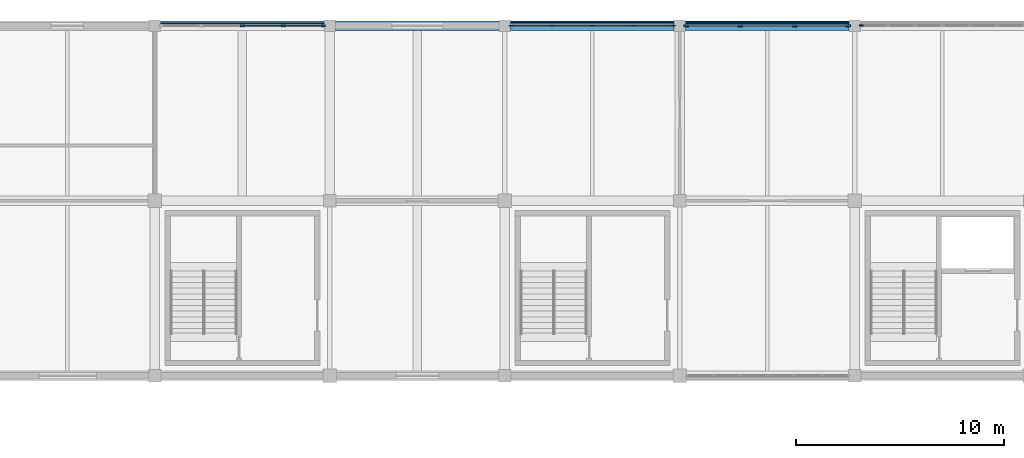
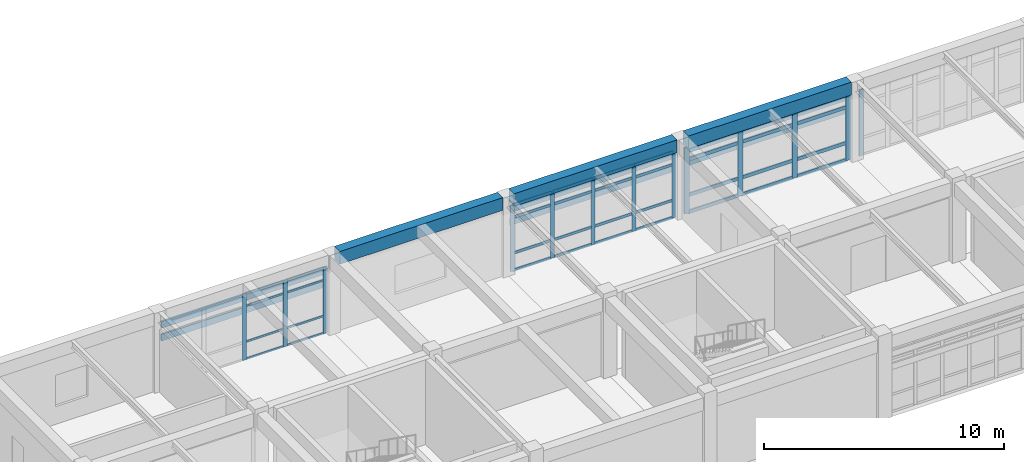
# One storey, part 9 of 18: 55 members, 3 beams, 4 elements without a shape of their own.
"""IFC4 building model written with IfcOpenShell, lengths in metres."""

from ifc_helpers import new_model, si_unit, direction, frame, origin, origin_2d, place, context, subcontext, project, spatial, rectangle, extrude, material, layer, layer_set, material_profile, profile_set, type_object, element, aggregate, save


model = new_model("IFC4")

# Units and contexts
model_context = context("Model", 3, precision=1e-05, world=origin(), true_north=direction((0.0, 1.0)))
body_context = subcontext(model_context, "Body", "Model", "MODEL_VIEW")
ifc_project = project(units=[si_unit("LENGTHUNIT", "METRE"), si_unit("AREAUNIT", "SQUARE_METRE"), si_unit("VOLUMEUNIT", "CUBIC_METRE"), si_unit("PLANEANGLEUNIT", "RADIAN"), si_unit("MASSUNIT", "GRAM", prefix="KILO")], contexts=[model_context])

# Site, building, storey
site_placement = place(None, origin())
site = spatial("IfcSite", under=ifc_project, at=site_placement, CompositionType="ELEMENT")
building_placement = place(site_placement, origin())
building = spatial("IfcBuilding", under=site, at=building_placement, Name="Porcellanite Civic Hall", CompositionType="ELEMENT")
storey_placement = place(building_placement, frame((0.0, 0.0, 23.39990234375)))
storey = spatial("IfcBuildingStorey", under=building, at=storey_placement, Name="L05", CompositionType="ELEMENT", Elevation=23.39990234375)

# Beams
ifc_material_1 = material(Name="Concrete N50 (50 MPa)", Category="concrete")
ifc_material_profile_1 = material_profile(ifc_material_1, rectangle(XDim=0.449951171875, YDim=0.64990234375, at=origin_2d()), Name="RC-450x650")
ifc_profile_set_1 = profile_set([ifc_material_profile_1], Name="Concrete N50 (50 MPa)")
beam_type = type_object("IfcBeamType", Name="BM-RC650", PredefinedType="SPANDREL", material=ifc_profile_set_1)
beam_1_placement = place(storey_placement, frame((84.2744140625, 117.60009765625, 3.7451171875), z_axis=(1.0, 0.0, 0.0), x_axis=(0.0, 1.0, 0.0)))
element("IfcBeam", 1, at=beam_1_placement, inside=storey, type_object=beam_type, Name="Beam X L05 11-15", PredefinedType="SPANDREL", context=body_context, shape_type="SweptSolid", body=[
    extrude(rectangle(XDim=0.449951171875, YDim=0.64990234375, at=origin_2d()), origin(), (0.0, 0.0, 1.0), 7.85107421875),
])
beam_2_placement = place(storey_placement, frame((92.674560546875, 117.60009765625, 3.7451171875), z_axis=(1.0, 0.0, 0.0), x_axis=(0.0, 1.0, 0.0)))
element("IfcBeam", 2, at=beam_2_placement, inside=storey, type_object=beam_type, Name="Beam X L05 12-15", PredefinedType="SPANDREL", context=body_context, shape_type="SweptSolid", body=[
    extrude(rectangle(XDim=0.449951171875, YDim=0.64990234375, at=origin_2d()), origin(), (0.0, 0.0, 1.0), 7.850830078125),
])
beam_3_placement = place(storey_placement, frame((101.074462890625, 117.60009765625, 3.7451171875), z_axis=(1.0, 0.0, 0.0), x_axis=(0.0, 1.0, 0.0)))
element("IfcBeam", 3, at=beam_3_placement, inside=storey, type_object=beam_type, Name="Beam X L05 13-15", PredefinedType="SPANDREL", context=body_context, shape_type="SweptSolid", body=[
    extrude(rectangle(XDim=0.449951171875, YDim=0.64990234375, at=origin_2d()), origin(), (0.0, 0.0, 1.0), 7.85107421875),
])

# Curtain wall, members
ifc_material_2 = material(Name="Anodised aluminium and solar laminated glass", Category="aluminium")
ifc_layer_1 = layer(ifc_material_2, 0.179931640625)
ifc_layer_set_1 = layer_set([ifc_layer_1], Name="Anodised aluminium and solar laminated glass")
curtain_wall_type_1 = type_object("IfcCurtainWallType", Name="CW-SYS08", PredefinedType="NOTDEFINED", material=ifc_layer_set_1)
curtain_wall_1_placement = place(storey_placement, origin())
curtain_wall_1 = element("IfcCurtainWall", 4, at=curtain_wall_1_placement, inside=storey, type_object=curtain_wall_type_1, Name="Curtain wall CW-268", PredefinedType="NOTDEFINED")
ifc_material_3 = material(Name="Anodised aluminium 6063-T6", Category="aluminium")
ifc_material_profile_2 = material_profile(ifc_material_3, rectangle(XDim=0.080078125, YDim=0.239990234375, at=origin_2d()), Name="AL-80x240")
ifc_profile_set_2 = profile_set([ifc_material_profile_2], Name="Anodised aluminium 6063-T6")
member_type_1 = type_object("IfcMemberType", Name="CWM-01", PredefinedType="MULLION", material=ifc_profile_set_2)
member_1_placement = place(storey_placement, frame((101.115966796875, 117.60009765625, 0.0), z_axis=(0.0, 0.0, 1.0), x_axis=(0.0, 1.0, 0.0)))
member_1 = element("IfcMember", 5, at=member_1_placement, type_object=member_type_1, Name="CW-268 mullion 1", PredefinedType="MULLION", context=body_context, shape_type="SweptSolid", body=[
    extrude(rectangle(XDim=0.080078125, YDim=0.239990234375, at=origin_2d()), origin(), (0.0, 0.0, 1.0), 3.3701171875),
])
member_2_placement = place(storey_placement, frame((103.69189453125, 117.60009765625, 0.0), z_axis=(0.0, 0.0, 1.0), x_axis=(0.0, 1.0, 0.0)))
member_2 = element("IfcMember", 6, at=member_2_placement, type_object=member_type_1, Name="CW-268 mullion 2", PredefinedType="MULLION", context=body_context, shape_type="SweptSolid", body=[
    extrude(rectangle(XDim=0.080078125, YDim=0.239990234375, at=origin_2d()), origin(), (0.0, 0.0, 1.0), 3.3701171875),
])
member_3_placement = place(storey_placement, frame((106.30810546875, 117.60009765625, 0.0), z_axis=(0.0, 0.0, 1.0), x_axis=(0.0, 1.0, 0.0)))
member_3 = element("IfcMember", 7, at=member_3_placement, type_object=member_type_1, Name="CW-268 mullion 3", PredefinedType="MULLION", context=body_context, shape_type="SweptSolid", body=[
    extrude(rectangle(XDim=0.080078125, YDim=0.239990234375, at=origin_2d()), origin(), (0.0, 0.0, 1.0), 3.3701171875),
])
member_4_placement = place(storey_placement, frame((108.884033203125, 117.60009765625, 0.0), z_axis=(0.0, 0.0, 1.0), x_axis=(0.0, 1.0, 0.0)))
member_4 = element("IfcMember", 8, at=member_4_placement, type_object=member_type_1, Name="CW-268 mullion 4", PredefinedType="MULLION", context=body_context, shape_type="SweptSolid", body=[
    extrude(rectangle(XDim=0.080078125, YDim=0.239990234375, at=origin_2d()), origin(), (0.0, 0.0, 1.0), 3.3701171875),
])

ifc_material_4 = material(Name="Anodised aluminium and solar laminated glass", Category="aluminium")
ifc_layer_2 = layer(ifc_material_4, 0.179931640625)
ifc_layer_set_2 = layer_set([ifc_layer_2], Name="Anodised aluminium and solar laminated glass")
curtain_wall_type_2 = type_object("IfcCurtainWallType", Name="CW-SYS04", PredefinedType="NOTDEFINED", material=ifc_layer_set_2)
curtain_wall_2_placement = place(storey_placement, origin())
curtain_wall_2 = element("IfcCurtainWall", 9, at=curtain_wall_2_placement, inside=storey, type_object=curtain_wall_type_2, Name="Curtain wall CW-265", PredefinedType="NOTDEFINED")
ifc_material_5 = material(Name="Anodised aluminium 6063-T6", Category="aluminium")
ifc_material_profile_3 = material_profile(ifc_material_5, rectangle(XDim=0.074951171875, YDim=0.18994140625, at=origin_2d()), Name="AL-75x190")
ifc_profile_set_3 = profile_set([ifc_material_profile_3], Name="Anodised aluminium 6063-T6")
member_type_2 = type_object("IfcMemberType", Name="CWM-04", PredefinedType="MULLION", material=ifc_profile_set_3)
member_5_placement = place(storey_placement, frame((79.800048828125, 117.60009765625, 0.0), z_axis=(0.0, 0.0, 1.0), x_axis=(0.0, 1.0, 0.0)))
member_5 = element("IfcMember", 10, at=member_5_placement, type_object=member_type_2, Name="CW-265 mullion 3", PredefinedType="MULLION", context=body_context, shape_type="SweptSolid", body=[
    extrude(rectangle(XDim=0.074951171875, YDim=0.18994140625, at=origin_2d()), origin(), (0.0, 0.0, 1.0), 3.3701171875),
])
member_6_placement = place(storey_placement, frame((81.761962890625, 117.60009765625, 0.0), z_axis=(0.0, 0.0, 1.0), x_axis=(0.0, 1.0, 0.0)))
member_6 = element("IfcMember", 11, at=member_6_placement, type_object=member_type_2, Name="CW-265 mullion 4", PredefinedType="MULLION", context=body_context, shape_type="SweptSolid", body=[
    extrude(rectangle(XDim=0.074951171875, YDim=0.18994140625, at=origin_2d()), origin(), (0.0, 0.0, 1.0), 3.3701171875),
])
member_7_placement = place(storey_placement, frame((83.6865234375, 117.60009765625, 0.0), z_axis=(0.0, 0.0, 1.0), x_axis=(0.0, 1.0, 0.0)))
member_7 = element("IfcMember", 12, at=member_7_placement, type_object=member_type_2, Name="CW-265 mullion 5", PredefinedType="MULLION", context=body_context, shape_type="SweptSolid", body=[
    extrude(rectangle(XDim=0.074951171875, YDim=0.18994140625, at=origin_2d()), origin(), (0.0, 0.0, 1.0), 3.3701171875),
])

# Curtain wall, member
ifc_material_6 = material(Name="Anodised aluminium and solar laminated glass", Category="aluminium")
ifc_layer_3 = layer(ifc_material_6, 0.179931640625)
ifc_layer_set_3 = layer_set([ifc_layer_3], Name="Anodised aluminium and solar laminated glass")
curtain_wall_type_3 = type_object("IfcCurtainWallType", Name="CW-SYS01", PredefinedType="NOTDEFINED", material=ifc_layer_set_3)
curtain_wall_3_placement = place(storey_placement, origin())
curtain_wall_3 = element("IfcCurtainWall", 13, at=curtain_wall_3_placement, inside=storey, type_object=curtain_wall_type_3, Name="Curtain wall CW-269", PredefinedType="NOTDEFINED")
ifc_material_7 = material(Name="Anodised aluminium 6063-T6", Category="aluminium")
ifc_material_profile_4 = material_profile(ifc_material_7, rectangle(XDim=0.070068359375, YDim=0.199951171875, at=origin_2d()), Name="AL-70x200")
ifc_profile_set_4 = profile_set([ifc_material_profile_4], Name="Anodised aluminium 6063-T6")
member_type_3 = type_object("IfcMemberType", Name="CWM-05", PredefinedType="MULLION", material=ifc_profile_set_4)
member_8_placement = place(storey_placement, frame((109.510986328125, 117.60009765625, 0.0), z_axis=(0.0, 0.0, 1.0), x_axis=(0.0, 1.0, 0.0)))
member_8 = element("IfcMember", 14, at=member_8_placement, type_object=member_type_3, Name="CW-269 mullion 1", PredefinedType="MULLION", context=body_context, shape_type="SweptSolid", body=[
    extrude(rectangle(XDim=0.070068359375, YDim=0.199951171875, at=origin_2d()), origin(), (0.0, 0.0, 1.0), 3.3701171875),
])
aggregate(curtain_wall_3, [member_8])

# Curtain wall, members
ifc_material_8 = material(Name="Anodised aluminium and solar laminated glass", Category="aluminium")
ifc_layer_4 = layer(ifc_material_8, 0.179931640625)
ifc_layer_set_4 = layer_set([ifc_layer_4], Name="Anodised aluminium and solar laminated glass")
curtain_wall_type_4 = type_object("IfcCurtainWallType", Name="CW-SYS06", PredefinedType="NOTDEFINED", material=ifc_layer_set_4)
curtain_wall_4_placement = place(storey_placement, origin())
curtain_wall_4 = element("IfcCurtainWall", 15, at=curtain_wall_4_placement, inside=storey, type_object=curtain_wall_type_4, Name="Curtain wall CW-266", PredefinedType="NOTDEFINED")
ifc_material_9 = material(Name="Anodised aluminium 6063-T6", Category="aluminium")
ifc_material_profile_5 = material_profile(ifc_material_9, rectangle(XDim=0.06494140625, YDim=0.179931640625, at=origin_2d()), Name="AL-65x180")
ifc_profile_set_5 = profile_set([ifc_material_profile_5], Name="Anodised aluminium 6063-T6")
member_type_4 = type_object("IfcMemberType", Name="CWM-06", PredefinedType="MULLION", material=ifc_profile_set_5)
member_9_placement = place(storey_placement, frame((92.70849609375, 117.60009765625, 0.0), z_axis=(0.0, 0.0, 1.0), x_axis=(0.0, 1.0, 0.0)))
member_9 = element("IfcMember", 16, at=member_9_placement, type_object=member_type_4, Name="CW-266 mullion 1", PredefinedType="MULLION", context=body_context, shape_type="SweptSolid", body=[
    extrude(rectangle(XDim=0.06494140625, YDim=0.179931640625, at=origin_2d()), origin(), (0.0, 0.0, 1.0), 3.3701171875),
])
member_10_placement = place(storey_placement, frame((94.637939453125, 117.60009765625, 0.0), z_axis=(0.0, 0.0, 1.0), x_axis=(0.0, 1.0, 0.0)))
member_10 = element("IfcMember", 17, at=member_10_placement, type_object=member_type_4, Name="CW-266 mullion 2", PredefinedType="MULLION", context=body_context, shape_type="SweptSolid", body=[
    extrude(rectangle(XDim=0.06494140625, YDim=0.179931640625, at=origin_2d()), origin(), (0.0, 0.0, 1.0), 3.3701171875),
])
member_11_placement = place(storey_placement, frame((96.60009765625, 117.60009765625, 0.0), z_axis=(0.0, 0.0, 1.0), x_axis=(0.0, 1.0, 0.0)))
member_11 = element("IfcMember", 18, at=member_11_placement, type_object=member_type_4, Name="CW-266 mullion 3", PredefinedType="MULLION", context=body_context, shape_type="SweptSolid", body=[
    extrude(rectangle(XDim=0.06494140625, YDim=0.179931640625, at=origin_2d()), origin(), (0.0, 0.0, 1.0), 3.3701171875),
])
member_12_placement = place(storey_placement, frame((98.56201171875, 117.60009765625, 0.0), z_axis=(0.0, 0.0, 1.0), x_axis=(0.0, 1.0, 0.0)))
member_12 = element("IfcMember", 19, at=member_12_placement, type_object=member_type_4, Name="CW-266 mullion 4", PredefinedType="MULLION", context=body_context, shape_type="SweptSolid", body=[
    extrude(rectangle(XDim=0.06494140625, YDim=0.179931640625, at=origin_2d()), origin(), (0.0, 0.0, 1.0), 3.3701171875),
])
member_13_placement = place(storey_placement, frame((100.491455078125, 117.60009765625, 0.0), z_axis=(0.0, 0.0, 1.0), x_axis=(0.0, 1.0, 0.0)))
member_13 = element("IfcMember", 20, at=member_13_placement, type_object=member_type_4, Name="CW-266 mullion 5", PredefinedType="MULLION", context=body_context, shape_type="SweptSolid", body=[
    extrude(rectangle(XDim=0.06494140625, YDim=0.179931640625, at=origin_2d()), origin(), (0.0, 0.0, 1.0), 3.3701171875),
])

# Member
ifc_material_10 = material(Name="Anodised aluminium 6063-T6", Category="aluminium")
ifc_material_profile_6 = material_profile(ifc_material_10, rectangle(XDim=0.070068359375, YDim=0.175048828125, at=origin_2d()), Name="AL-70x175")
ifc_profile_set_6 = profile_set([ifc_material_profile_6], Name="Anodised aluminium 6063-T6")
member_type_5 = type_object("IfcMemberType", Name="CWT-01", PredefinedType="USERDEFINED", material=ifc_profile_set_6)
member_14_placement = place(storey_placement, frame((101.156005859375, 117.60009765625, 0.03515625), z_axis=(1.0, 0.0, 0.0), x_axis=(0.0, 1.0, 0.0)))
member_14 = element("IfcMember", 21, at=member_14_placement, type_object=member_type_5, Name="CW-268 transom 1.1", ObjectType="TRANSOM", PredefinedType="USERDEFINED", context=body_context, shape_type="SweptSolid", body=[
    extrude(rectangle(XDim=0.070068359375, YDim=0.175048828125, at=origin_2d()), origin(), (0.0, 0.0, 1.0), 2.49609375),
])

member_15_placement = place(storey_placement, frame((101.156005859375, 117.60009765625, 0.900146484375), z_axis=(1.0, 0.0, 0.0), x_axis=(0.0, 1.0, 0.0)))
member_15 = element("IfcMember", 22, at=member_15_placement, type_object=member_type_5, Name="CW-268 transom 1.2", ObjectType="TRANSOM", PredefinedType="USERDEFINED", context=body_context, shape_type="SweptSolid", body=[
    extrude(rectangle(XDim=0.070068359375, YDim=0.175048828125, at=origin_2d()), origin(), (0.0, 0.0, 1.0), 2.49609375),
])

member_16_placement = place(storey_placement, frame((101.156005859375, 117.60009765625, 2.72021484375), z_axis=(1.0, 0.0, 0.0), x_axis=(0.0, 1.0, 0.0)))
member_16 = element("IfcMember", 23, at=member_16_placement, type_object=member_type_5, Name="CW-268 transom 1.3", ObjectType="TRANSOM", PredefinedType="USERDEFINED", context=body_context, shape_type="SweptSolid", body=[
    extrude(rectangle(XDim=0.070068359375, YDim=0.175048828125, at=origin_2d()), origin(), (0.0, 0.0, 1.0), 2.49609375),
])

member_17_placement = place(storey_placement, frame((101.156005859375, 117.60009765625, 3.335205078125), z_axis=(1.0, 0.0, 0.0), x_axis=(0.0, 1.0, 0.0)))
member_17 = element("IfcMember", 24, at=member_17_placement, type_object=member_type_5, Name="CW-268 transom 1.4", ObjectType="TRANSOM", PredefinedType="USERDEFINED", context=body_context, shape_type="SweptSolid", body=[
    extrude(rectangle(XDim=0.070068359375, YDim=0.175048828125, at=origin_2d()), origin(), (0.0, 0.0, 1.0), 2.49609375),
])

member_18_placement = place(storey_placement, frame((103.73193359375, 117.60009765625, 0.03515625), z_axis=(1.0, 0.0, 0.0), x_axis=(0.0, 1.0, 0.0)))
member_18 = element("IfcMember", 25, at=member_18_placement, type_object=member_type_5, Name="CW-268 transom 2.1", ObjectType="TRANSOM", PredefinedType="USERDEFINED", context=body_context, shape_type="SweptSolid", body=[
    extrude(rectangle(XDim=0.070068359375, YDim=0.175048828125, at=origin_2d()), origin(), (0.0, 0.0, 1.0), 2.5361328125),
])

member_19_placement = place(storey_placement, frame((103.73193359375, 117.60009765625, 0.900146484375), z_axis=(1.0, 0.0, 0.0), x_axis=(0.0, 1.0, 0.0)))
member_19 = element("IfcMember", 26, at=member_19_placement, type_object=member_type_5, Name="CW-268 transom 2.2", ObjectType="TRANSOM", PredefinedType="USERDEFINED", context=body_context, shape_type="SweptSolid", body=[
    extrude(rectangle(XDim=0.070068359375, YDim=0.175048828125, at=origin_2d()), origin(), (0.0, 0.0, 1.0), 2.5361328125),
])

member_20_placement = place(storey_placement, frame((103.73193359375, 117.60009765625, 2.72021484375), z_axis=(1.0, 0.0, 0.0), x_axis=(0.0, 1.0, 0.0)))
member_20 = element("IfcMember", 27, at=member_20_placement, type_object=member_type_5, Name="CW-268 transom 2.3", ObjectType="TRANSOM", PredefinedType="USERDEFINED", context=body_context, shape_type="SweptSolid", body=[
    extrude(rectangle(XDim=0.070068359375, YDim=0.175048828125, at=origin_2d()), origin(), (0.0, 0.0, 1.0), 2.5361328125),
])

member_21_placement = place(storey_placement, frame((103.73193359375, 117.60009765625, 3.335205078125), z_axis=(1.0, 0.0, 0.0), x_axis=(0.0, 1.0, 0.0)))
member_21 = element("IfcMember", 28, at=member_21_placement, type_object=member_type_5, Name="CW-268 transom 2.4", ObjectType="TRANSOM", PredefinedType="USERDEFINED", context=body_context, shape_type="SweptSolid", body=[
    extrude(rectangle(XDim=0.070068359375, YDim=0.175048828125, at=origin_2d()), origin(), (0.0, 0.0, 1.0), 2.5361328125),
])

member_22_placement = place(storey_placement, frame((106.347900390625, 117.60009765625, 0.03515625), z_axis=(1.0, 0.0, 0.0), x_axis=(0.0, 1.0, 0.0)))
member_22 = element("IfcMember", 29, at=member_22_placement, type_object=member_type_5, Name="CW-268 transom 3.1", ObjectType="TRANSOM", PredefinedType="USERDEFINED", context=body_context, shape_type="SweptSolid", body=[
    extrude(rectangle(XDim=0.070068359375, YDim=0.175048828125, at=origin_2d()), origin(), (0.0, 0.0, 1.0), 2.49609375),
])

member_23_placement = place(storey_placement, frame((106.347900390625, 117.60009765625, 0.900146484375), z_axis=(1.0, 0.0, 0.0), x_axis=(0.0, 1.0, 0.0)))
member_23 = element("IfcMember", 30, at=member_23_placement, type_object=member_type_5, Name="CW-268 transom 3.2", ObjectType="TRANSOM", PredefinedType="USERDEFINED", context=body_context, shape_type="SweptSolid", body=[
    extrude(rectangle(XDim=0.070068359375, YDim=0.175048828125, at=origin_2d()), origin(), (0.0, 0.0, 1.0), 2.49609375),
])

member_24_placement = place(storey_placement, frame((106.347900390625, 117.60009765625, 2.72021484375), z_axis=(1.0, 0.0, 0.0), x_axis=(0.0, 1.0, 0.0)))
member_24 = element("IfcMember", 31, at=member_24_placement, type_object=member_type_5, Name="CW-268 transom 3.3", ObjectType="TRANSOM", PredefinedType="USERDEFINED", context=body_context, shape_type="SweptSolid", body=[
    extrude(rectangle(XDim=0.070068359375, YDim=0.175048828125, at=origin_2d()), origin(), (0.0, 0.0, 1.0), 2.49609375),
])

member_25_placement = place(storey_placement, frame((106.347900390625, 117.60009765625, 3.335205078125), z_axis=(1.0, 0.0, 0.0), x_axis=(0.0, 1.0, 0.0)))
member_25 = element("IfcMember", 32, at=member_25_placement, type_object=member_type_5, Name="CW-268 transom 3.4", ObjectType="TRANSOM", PredefinedType="USERDEFINED", context=body_context, shape_type="SweptSolid", body=[
    extrude(rectangle(XDim=0.070068359375, YDim=0.175048828125, at=origin_2d()), origin(), (0.0, 0.0, 1.0), 2.49609375),
])

aggregate(curtain_wall_1, [member_1, member_2, member_3, member_4, member_14, member_15, member_16, member_17, member_18, member_19, member_20, member_21, member_22, member_23, member_24, member_25])

ifc_material_11 = material(Name="Anodised aluminium 6063-T6", Category="aluminium")
ifc_material_profile_7 = material_profile(ifc_material_11, rectangle(XDim=0.054931640625, YDim=0.10009765625, at=origin_2d()), Name="AL-55x100")
ifc_profile_set_7 = profile_set([ifc_material_profile_7], Name="Anodised aluminium 6063-T6")
member_type_6 = type_object("IfcMemberType", Name="CWT-05", PredefinedType="USERDEFINED", material=ifc_profile_set_7)
member_26_placement = place(storey_placement, frame((79.83740234375, 117.60009765625, 0.027587890625), z_axis=(1.0, 0.0, 0.0), x_axis=(0.0, 1.0, 0.0)))
member_26 = element("IfcMember", 33, at=member_26_placement, type_object=member_type_6, Name="CW-265 transom 3.1", ObjectType="TRANSOM", PredefinedType="USERDEFINED", context=body_context, shape_type="SweptSolid", body=[
    extrude(rectangle(XDim=0.054931640625, YDim=0.10009765625, at=origin_2d()), origin(), (0.0, 0.0, 1.0), 1.88720703125),
])

member_27_placement = place(storey_placement, frame((79.83740234375, 117.60009765625, 0.900146484375), z_axis=(1.0, 0.0, 0.0), x_axis=(0.0, 1.0, 0.0)))
member_27 = element("IfcMember", 34, at=member_27_placement, type_object=member_type_6, Name="CW-265 transom 3.2", ObjectType="TRANSOM", PredefinedType="USERDEFINED", context=body_context, shape_type="SweptSolid", body=[
    extrude(rectangle(XDim=0.054931640625, YDim=0.10009765625, at=origin_2d()), origin(), (0.0, 0.0, 1.0), 1.88720703125),
])

member_28_placement = place(storey_placement, frame((79.83740234375, 117.60009765625, 2.72021484375), z_axis=(1.0, 0.0, 0.0), x_axis=(0.0, 1.0, 0.0)))
member_28 = element("IfcMember", 35, at=member_28_placement, type_object=member_type_6, Name="CW-265 transom 3.3", ObjectType="TRANSOM", PredefinedType="USERDEFINED", context=body_context, shape_type="SweptSolid", body=[
    extrude(rectangle(XDim=0.054931640625, YDim=0.10009765625, at=origin_2d()), origin(), (0.0, 0.0, 1.0), 1.88720703125),
])

member_29_placement = place(storey_placement, frame((79.83740234375, 117.60009765625, 3.342529296875), z_axis=(1.0, 0.0, 0.0), x_axis=(0.0, 1.0, 0.0)))
member_29 = element("IfcMember", 36, at=member_29_placement, type_object=member_type_6, Name="CW-265 transom 3.4", ObjectType="TRANSOM", PredefinedType="USERDEFINED", context=body_context, shape_type="SweptSolid", body=[
    extrude(rectangle(XDim=0.054931640625, YDim=0.10009765625, at=origin_2d()), origin(), (0.0, 0.0, 1.0), 1.88720703125),
])

member_30_placement = place(storey_placement, frame((81.799560546875, 117.60009765625, 0.027587890625), z_axis=(1.0, 0.0, 0.0), x_axis=(0.0, 1.0, 0.0)))
member_30 = element("IfcMember", 37, at=member_30_placement, type_object=member_type_6, Name="CW-265 transom 4.1", ObjectType="TRANSOM", PredefinedType="USERDEFINED", context=body_context, shape_type="SweptSolid", body=[
    extrude(rectangle(XDim=0.054931640625, YDim=0.10009765625, at=origin_2d()), origin(), (0.0, 0.0, 1.0), 1.849365234375),
])

member_31_placement = place(storey_placement, frame((81.799560546875, 117.60009765625, 0.900146484375), z_axis=(1.0, 0.0, 0.0), x_axis=(0.0, 1.0, 0.0)))
member_31 = element("IfcMember", 38, at=member_31_placement, type_object=member_type_6, Name="CW-265 transom 4.2", ObjectType="TRANSOM", PredefinedType="USERDEFINED", context=body_context, shape_type="SweptSolid", body=[
    extrude(rectangle(XDim=0.054931640625, YDim=0.10009765625, at=origin_2d()), origin(), (0.0, 0.0, 1.0), 1.849365234375),
])

member_32_placement = place(storey_placement, frame((81.799560546875, 117.60009765625, 2.72021484375), z_axis=(1.0, 0.0, 0.0), x_axis=(0.0, 1.0, 0.0)))
member_32 = element("IfcMember", 39, at=member_32_placement, type_object=member_type_6, Name="CW-265 transom 4.3", ObjectType="TRANSOM", PredefinedType="USERDEFINED", context=body_context, shape_type="SweptSolid", body=[
    extrude(rectangle(XDim=0.054931640625, YDim=0.10009765625, at=origin_2d()), origin(), (0.0, 0.0, 1.0), 1.849365234375),
])

member_33_placement = place(storey_placement, frame((81.799560546875, 117.60009765625, 3.342529296875), z_axis=(1.0, 0.0, 0.0), x_axis=(0.0, 1.0, 0.0)))
member_33 = element("IfcMember", 40, at=member_33_placement, type_object=member_type_6, Name="CW-265 transom 4.4", ObjectType="TRANSOM", PredefinedType="USERDEFINED", context=body_context, shape_type="SweptSolid", body=[
    extrude(rectangle(XDim=0.054931640625, YDim=0.10009765625, at=origin_2d()), origin(), (0.0, 0.0, 1.0), 1.849365234375),
])

aggregate(curtain_wall_2, [member_5, member_6, member_7, member_26, member_27, member_28, member_29, member_30, member_31, member_32, member_33])

ifc_material_12 = material(Name="Anodised aluminium 6063-T6", Category="aluminium")
ifc_material_profile_8 = material_profile(ifc_material_12, rectangle(XDim=0.050048828125, YDim=0.139892578125, at=origin_2d()), Name="AL-50x140")
ifc_profile_set_8 = profile_set([ifc_material_profile_8], Name="Anodised aluminium 6063-T6")
member_type_7 = type_object("IfcMemberType", Name="CWT-06", PredefinedType="USERDEFINED", material=ifc_profile_set_8)
member_34_placement = place(storey_placement, frame((92.740966796875, 117.60009765625, 0.025146484375), z_axis=(1.0, 0.0, 0.0), x_axis=(0.0, 1.0, 0.0)))
member_34 = element("IfcMember", 41, at=member_34_placement, type_object=member_type_7, Name="CW-266 transom 1.1", ObjectType="TRANSOM", PredefinedType="USERDEFINED", context=body_context, shape_type="SweptSolid", body=[
    extrude(rectangle(XDim=0.050048828125, YDim=0.139892578125, at=origin_2d()), origin(), (0.0, 0.0, 1.0), 1.864501953125),
])

member_35_placement = place(storey_placement, frame((92.740966796875, 117.60009765625, 0.900146484375), z_axis=(1.0, 0.0, 0.0), x_axis=(0.0, 1.0, 0.0)))
member_35 = element("IfcMember", 42, at=member_35_placement, type_object=member_type_7, Name="CW-266 transom 1.2", ObjectType="TRANSOM", PredefinedType="USERDEFINED", context=body_context, shape_type="SweptSolid", body=[
    extrude(rectangle(XDim=0.050048828125, YDim=0.139892578125, at=origin_2d()), origin(), (0.0, 0.0, 1.0), 1.864501953125),
])

member_36_placement = place(storey_placement, frame((92.740966796875, 117.60009765625, 2.72021484375), z_axis=(1.0, 0.0, 0.0), x_axis=(0.0, 1.0, 0.0)))
member_36 = element("IfcMember", 43, at=member_36_placement, type_object=member_type_7, Name="CW-266 transom 1.3", ObjectType="TRANSOM", PredefinedType="USERDEFINED", context=body_context, shape_type="SweptSolid", body=[
    extrude(rectangle(XDim=0.050048828125, YDim=0.139892578125, at=origin_2d()), origin(), (0.0, 0.0, 1.0), 1.864501953125),
])

member_37_placement = place(storey_placement, frame((92.740966796875, 117.60009765625, 3.34521484375), z_axis=(1.0, 0.0, 0.0), x_axis=(0.0, 1.0, 0.0)))
member_37 = element("IfcMember", 44, at=member_37_placement, type_object=member_type_7, Name="CW-266 transom 1.4", ObjectType="TRANSOM", PredefinedType="USERDEFINED", context=body_context, shape_type="SweptSolid", body=[
    extrude(rectangle(XDim=0.050048828125, YDim=0.139892578125, at=origin_2d()), origin(), (0.0, 0.0, 1.0), 1.864501953125),
])

member_38_placement = place(storey_placement, frame((94.67041015625, 117.60009765625, 0.025146484375), z_axis=(1.0, 0.0, 0.0), x_axis=(0.0, 1.0, 0.0)))
member_38 = element("IfcMember", 45, at=member_38_placement, type_object=member_type_7, Name="CW-266 transom 2.1", ObjectType="TRANSOM", PredefinedType="USERDEFINED", context=body_context, shape_type="SweptSolid", body=[
    extrude(rectangle(XDim=0.050048828125, YDim=0.139892578125, at=origin_2d()), origin(), (0.0, 0.0, 1.0), 1.89697265625),
])

member_39_placement = place(storey_placement, frame((94.67041015625, 117.60009765625, 0.900146484375), z_axis=(1.0, 0.0, 0.0), x_axis=(0.0, 1.0, 0.0)))
member_39 = element("IfcMember", 46, at=member_39_placement, type_object=member_type_7, Name="CW-266 transom 2.2", ObjectType="TRANSOM", PredefinedType="USERDEFINED", context=body_context, shape_type="SweptSolid", body=[
    extrude(rectangle(XDim=0.050048828125, YDim=0.139892578125, at=origin_2d()), origin(), (0.0, 0.0, 1.0), 1.89697265625),
])

member_40_placement = place(storey_placement, frame((94.67041015625, 117.60009765625, 2.72021484375), z_axis=(1.0, 0.0, 0.0), x_axis=(0.0, 1.0, 0.0)))
member_40 = element("IfcMember", 47, at=member_40_placement, type_object=member_type_7, Name="CW-266 transom 2.3", ObjectType="TRANSOM", PredefinedType="USERDEFINED", context=body_context, shape_type="SweptSolid", body=[
    extrude(rectangle(XDim=0.050048828125, YDim=0.139892578125, at=origin_2d()), origin(), (0.0, 0.0, 1.0), 1.89697265625),
])

member_41_placement = place(storey_placement, frame((94.67041015625, 117.60009765625, 3.34521484375), z_axis=(1.0, 0.0, 0.0), x_axis=(0.0, 1.0, 0.0)))
member_41 = element("IfcMember", 48, at=member_41_placement, type_object=member_type_7, Name="CW-266 transom 2.4", ObjectType="TRANSOM", PredefinedType="USERDEFINED", context=body_context, shape_type="SweptSolid", body=[
    extrude(rectangle(XDim=0.050048828125, YDim=0.139892578125, at=origin_2d()), origin(), (0.0, 0.0, 1.0), 1.89697265625),
])

member_42_placement = place(storey_placement, frame((96.632568359375, 117.60009765625, 0.025146484375), z_axis=(1.0, 0.0, 0.0), x_axis=(0.0, 1.0, 0.0)))
member_42 = element("IfcMember", 49, at=member_42_placement, type_object=member_type_7, Name="CW-266 transom 3.1", ObjectType="TRANSOM", PredefinedType="USERDEFINED", context=body_context, shape_type="SweptSolid", body=[
    extrude(rectangle(XDim=0.050048828125, YDim=0.139892578125, at=origin_2d()), origin(), (0.0, 0.0, 1.0), 1.89697265625),
])

member_43_placement = place(storey_placement, frame((96.632568359375, 117.60009765625, 0.900146484375), z_axis=(1.0, 0.0, 0.0), x_axis=(0.0, 1.0, 0.0)))
member_43 = element("IfcMember", 50, at=member_43_placement, type_object=member_type_7, Name="CW-266 transom 3.2", ObjectType="TRANSOM", PredefinedType="USERDEFINED", context=body_context, shape_type="SweptSolid", body=[
    extrude(rectangle(XDim=0.050048828125, YDim=0.139892578125, at=origin_2d()), origin(), (0.0, 0.0, 1.0), 1.89697265625),
])

member_44_placement = place(storey_placement, frame((96.632568359375, 117.60009765625, 2.72021484375), z_axis=(1.0, 0.0, 0.0), x_axis=(0.0, 1.0, 0.0)))
member_44 = element("IfcMember", 51, at=member_44_placement, type_object=member_type_7, Name="CW-266 transom 3.3", ObjectType="TRANSOM", PredefinedType="USERDEFINED", context=body_context, shape_type="SweptSolid", body=[
    extrude(rectangle(XDim=0.050048828125, YDim=0.139892578125, at=origin_2d()), origin(), (0.0, 0.0, 1.0), 1.89697265625),
])

member_45_placement = place(storey_placement, frame((96.632568359375, 117.60009765625, 3.34521484375), z_axis=(1.0, 0.0, 0.0), x_axis=(0.0, 1.0, 0.0)))
member_45 = element("IfcMember", 52, at=member_45_placement, type_object=member_type_7, Name="CW-266 transom 3.4", ObjectType="TRANSOM", PredefinedType="USERDEFINED", context=body_context, shape_type="SweptSolid", body=[
    extrude(rectangle(XDim=0.050048828125, YDim=0.139892578125, at=origin_2d()), origin(), (0.0, 0.0, 1.0), 1.89697265625),
])

member_46_placement = place(storey_placement, frame((98.594482421875, 117.60009765625, 0.025146484375), z_axis=(1.0, 0.0, 0.0), x_axis=(0.0, 1.0, 0.0)))
member_46 = element("IfcMember", 53, at=member_46_placement, type_object=member_type_7, Name="CW-266 transom 4.1", ObjectType="TRANSOM", PredefinedType="USERDEFINED", context=body_context, shape_type="SweptSolid", body=[
    extrude(rectangle(XDim=0.050048828125, YDim=0.139892578125, at=origin_2d()), origin(), (0.0, 0.0, 1.0), 1.864501953125),
])

member_47_placement = place(storey_placement, frame((98.594482421875, 117.60009765625, 0.900146484375), z_axis=(1.0, 0.0, 0.0), x_axis=(0.0, 1.0, 0.0)))
member_47 = element("IfcMember", 54, at=member_47_placement, type_object=member_type_7, Name="CW-266 transom 4.2", ObjectType="TRANSOM", PredefinedType="USERDEFINED", context=body_context, shape_type="SweptSolid", body=[
    extrude(rectangle(XDim=0.050048828125, YDim=0.139892578125, at=origin_2d()), origin(), (0.0, 0.0, 1.0), 1.864501953125),
])

member_48_placement = place(storey_placement, frame((98.594482421875, 117.60009765625, 2.72021484375), z_axis=(1.0, 0.0, 0.0), x_axis=(0.0, 1.0, 0.0)))
member_48 = element("IfcMember", 55, at=member_48_placement, type_object=member_type_7, Name="CW-266 transom 4.3", ObjectType="TRANSOM", PredefinedType="USERDEFINED", context=body_context, shape_type="SweptSolid", body=[
    extrude(rectangle(XDim=0.050048828125, YDim=0.139892578125, at=origin_2d()), origin(), (0.0, 0.0, 1.0), 1.864501953125),
])

member_49_placement = place(storey_placement, frame((98.594482421875, 117.60009765625, 3.34521484375), z_axis=(1.0, 0.0, 0.0), x_axis=(0.0, 1.0, 0.0)))
member_49 = element("IfcMember", 56, at=member_49_placement, type_object=member_type_7, Name="CW-266 transom 4.4", ObjectType="TRANSOM", PredefinedType="USERDEFINED", context=body_context, shape_type="SweptSolid", body=[
    extrude(rectangle(XDim=0.050048828125, YDim=0.139892578125, at=origin_2d()), origin(), (0.0, 0.0, 1.0), 1.864501953125),
])

aggregate(curtain_wall_4, [member_9, member_10, member_11, member_12, member_13, member_34, member_35, member_36, member_37, member_38, member_39, member_40, member_41, member_42, member_43, member_44, member_45, member_46, member_47, member_48, member_49])

# Members
ifc_material_13 = material(Name="Fluoropolymer bauxite-red aluminium 6063-T6", Category="aluminium")
ifc_material_profile_9 = material_profile(ifc_material_13, rectangle(XDim=0.0849609375, YDim=0.340087890625, at=origin_2d()), Name="AL-85x340")
ifc_profile_set_9 = profile_set([ifc_material_profile_9], Name="Fluoropolymer bauxite-red aluminium 6063-T6")
member_type_8 = type_object("IfcMemberType", Name="LV-BLD02", PredefinedType="USERDEFINED", material=ifc_profile_set_9)
for number, where, z_axis, x_axis, name in (
    (57, (75.87451171875, 117.739501953125, 3.070068359375), (1.0, 0.0, 0.0), (0.0, 1.0, 0.0), "Cyclone sunshade louvre L05 N 9-13 1"),
    (58, (75.87451171875, 117.739501953125, 2.420166015625), (1.0, 0.0, 0.0), (0.0, 1.0, 0.0), "Cyclone sunshade louvre L05 N 9-13 2"),
):
    element("IfcMember", number, at=place(storey_placement, frame(where, z_axis=z_axis, x_axis=x_axis)), inside=storey, type_object=member_type_8, Name=name, ObjectType="LOUVRE BLADE", PredefinedType="USERDEFINED", context=body_context, shape_type="SweptSolid", body=[
        extrude(rectangle(XDim=0.0849609375, YDim=0.340087890625, at=origin_2d()), origin(), (0.0, 0.0, 1.0), 7.85107421875),
    ])
ifc_material_14 = material(Name="Fluoropolymer bauxite-red aluminium 6063-T6", Category="aluminium")
ifc_material_profile_10 = material_profile(ifc_material_14, rectangle(XDim=0.080078125, YDim=0.320068359375, at=origin_2d()), Name="AL-80x320")
ifc_profile_set_10 = profile_set([ifc_material_profile_10], Name="Fluoropolymer bauxite-red aluminium 6063-T6")
member_type_9 = type_object("IfcMemberType", Name="LV-BLD03", PredefinedType="USERDEFINED", material=ifc_profile_set_10)
for number, where, z_axis, x_axis, name in (
    (59, (92.674560546875, 117.73193359375, 3.070068359375), (1.0, 0.0, 0.0), (0.0, 1.0, 0.0), "Cyclone sunshade louvre L05 N 11-13 1"),
    (60, (92.674560546875, 117.73193359375, 2.420166015625), (1.0, 0.0, 0.0), (0.0, 1.0, 0.0), "Cyclone sunshade louvre L05 N 11-13 2"),
):
    element("IfcMember", number, at=place(storey_placement, frame(where, z_axis=z_axis, x_axis=x_axis)), inside=storey, type_object=member_type_9, Name=name, ObjectType="LOUVRE BLADE", PredefinedType="USERDEFINED", context=body_context, shape_type="SweptSolid", body=[
        extrude(rectangle(XDim=0.080078125, YDim=0.320068359375, at=origin_2d()), origin(), (0.0, 0.0, 1.0), 7.850830078125),
    ])
ifc_material_15 = material(Name="Fluoropolymer bauxite-red aluminium 6063-T6", Category="aluminium")
ifc_material_profile_11 = material_profile(ifc_material_15, rectangle(XDim=0.070068359375, YDim=0.280029296875, at=origin_2d()), Name="AL-70x280")
ifc_profile_set_11 = profile_set([ifc_material_profile_11], Name="Fluoropolymer bauxite-red aluminium 6063-T6")
member_type_10 = type_object("IfcMemberType", Name="LV-BLD05", PredefinedType="USERDEFINED", material=ifc_profile_set_11)
for number, where, z_axis, x_axis, name in (
    (61, (101.074462890625, 117.757080078125, 3.070068359375), (1.0, 0.0, 0.0), (0.0, 1.0, 0.0), "Cyclone sunshade louvre L05 N 12-13 1"),
    (62, (101.074462890625, 117.757080078125, 2.420166015625), (1.0, 0.0, 0.0), (0.0, 1.0, 0.0), "Cyclone sunshade louvre L05 N 12-13 2"),
):
    element("IfcMember", number, at=place(storey_placement, frame(where, z_axis=z_axis, x_axis=x_axis)), inside=storey, type_object=member_type_10, Name=name, ObjectType="LOUVRE BLADE", PredefinedType="USERDEFINED", context=body_context, shape_type="SweptSolid", body=[
        extrude(rectangle(XDim=0.070068359375, YDim=0.280029296875, at=origin_2d()), origin(), (0.0, 0.0, 1.0), 7.85107421875),
    ])

save(model, "model.ifc")
